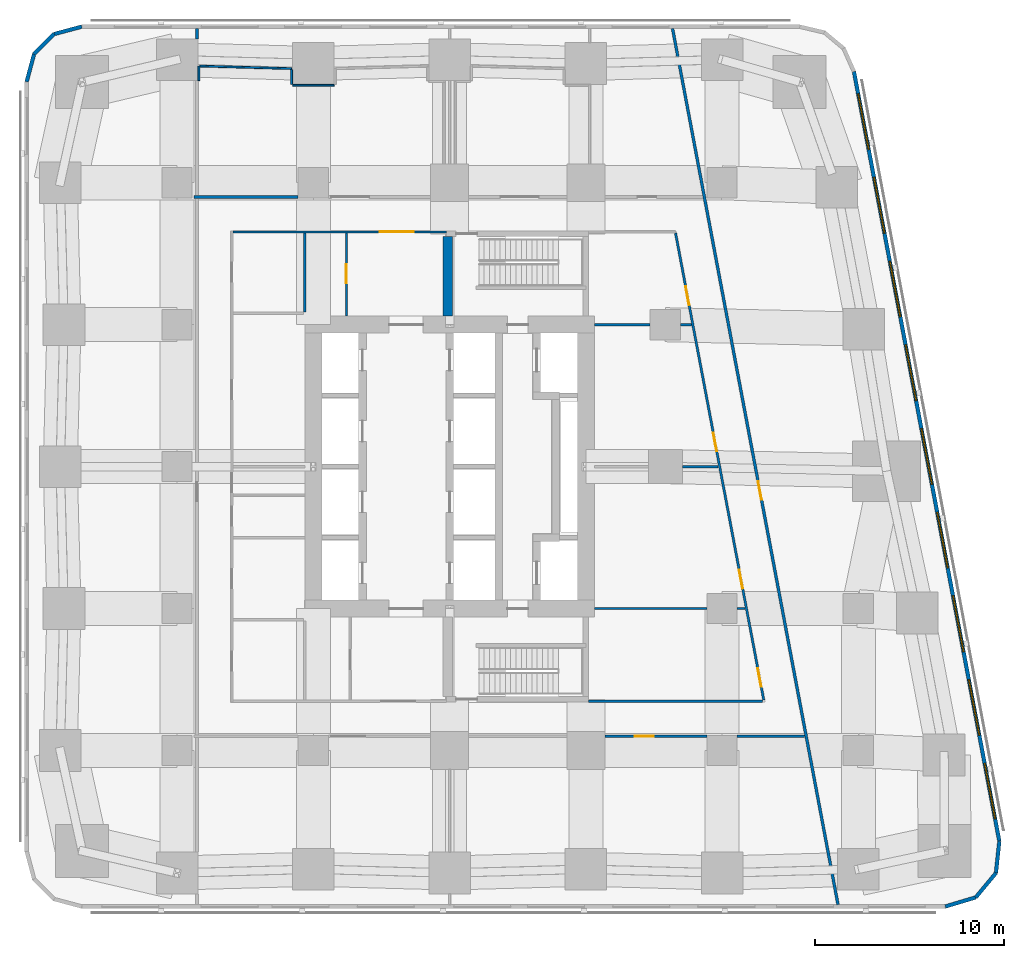
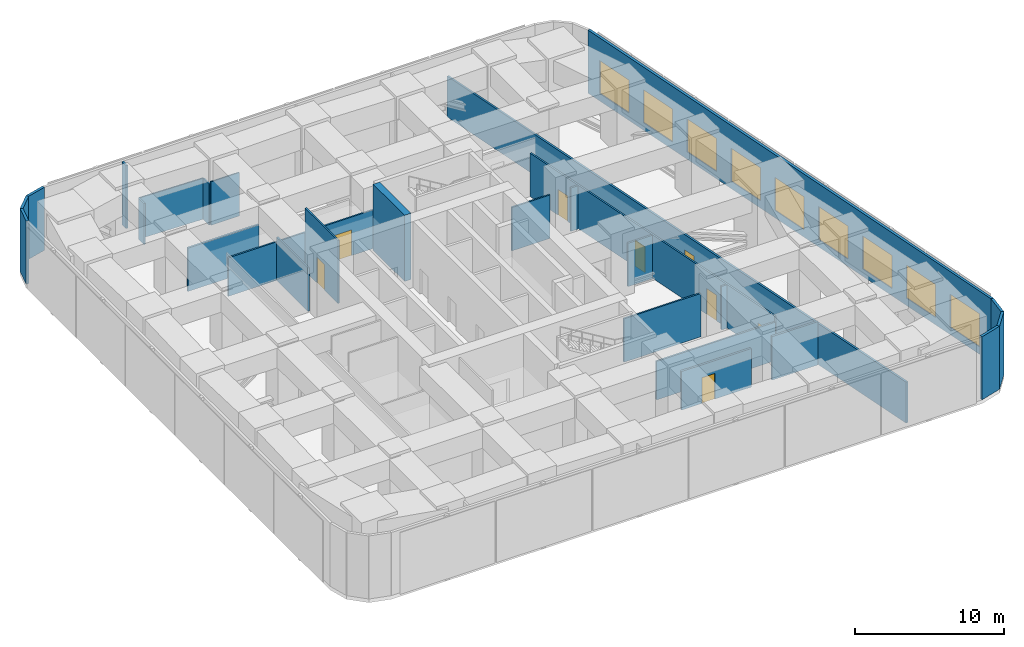
# One storey, part 6 of 10: 27 walls, 9 windows, 8 doors, 17 openings.
"""IFC4 building model written with IfcOpenShell, lengths in metres."""

from ifc_helpers import new_model, si_unit, direction, frame, frame_2d, origin, place, context, subcontext, project, spatial, rectangle, extrude, material, layer, layer_set, type_object, element, fill, save


model = new_model("IFC4")

# Units and contexts
model_context = context("Model", 3, precision=1e-05, world=origin(), true_north=direction((0.0, 1.0)))
body_context = subcontext(model_context, "Body", "Model", "MODEL_VIEW")
ifc_project = project(units=[si_unit("LENGTHUNIT", "METRE"), si_unit("AREAUNIT", "SQUARE_METRE"), si_unit("VOLUMEUNIT", "CUBIC_METRE"), si_unit("PLANEANGLEUNIT", "RADIAN"), si_unit("MASSUNIT", "GRAM", prefix="KILO")], contexts=[model_context])

# Site, building, storey
site_placement = place(None, origin())
site = spatial("IfcSite", under=ifc_project, at=site_placement, CompositionType="ELEMENT")
building_placement = place(site_placement, origin())
building = spatial("IfcBuilding", under=site, at=building_placement, Name="Sheger Commons Tower", CompositionType="ELEMENT")
storey_placement = place(building_placement, frame((0.0, 0.0, 130.39990234375)))
storey = spatial("IfcBuildingStorey", under=building, at=storey_placement, Name="L33", CompositionType="ELEMENT", Elevation=130.39990234375)

# Walls
ifc_material_1 = material(Name="Hollow concrete block masonry, skimmed both sides", Category="masonry")
ifc_layer_1 = layer(ifc_material_1, 0.14990234375)
ifc_layer_set_1 = layer_set([ifc_layer_1], Name="CORRIDOR WALL 150")
wall_type_1 = type_object("IfcWallType", Name="CORRIDOR WALL 150", PredefinedType="SOLIDWALL", material=ifc_layer_set_1)
wall_1_placement = place(storey_placement, frame((8.25, 45.10107421875, 0.0), z_axis=(0.0, 0.0, 1.0), x_axis=(0.0, 1.0, 0.0)))
element("IfcWall", 1, at=wall_1_placement, inside=storey, type_object=wall_type_1, Name="Corridor wall L33", PredefinedType="SOLIDWALL", context=body_context, shape_type="SweptSolid", body=[
    extrude(rectangle(XDim=0.548828125, YDim=0.14990234375, at=frame_2d((0.2744140625, 0.0))), origin(), (0.0, 0.0, 1.0), 5.150146484375),
])
wall_2_placement = place(storey_placement, frame((40.35595703125, 8.25, 0.0), z_axis=(0.0, 0.0, 1.0), x_axis=(-1.0, 0.0, 0.0)))
element("IfcWall", 2, at=wall_2_placement, inside=storey, type_object=wall_type_1, Name="Corridor wall L33", PredefinedType="SOLIDWALL", context=body_context, shape_type="SweptSolid", body=[
    extrude(rectangle(XDim=3.554931640625, YDim=0.14990234375, at=frame_2d((1.77734375, 0.0))), origin(), (0.0, 0.0, 1.0), 3.550048828125),
])

# Wall, opening, door
wall_3_placement = place(storey_placement, frame((35.198974609375, 8.25, 0.0), z_axis=(0.0, 0.0, 1.0), x_axis=(-1.0, 0.0, 0.0)))
wall_3 = element("IfcWall", 3, at=wall_3_placement, inside=storey, type_object=wall_type_1, Name="Corridor wall L33", PredefinedType="SOLIDWALL", context=body_context, shape_type="SweptSolid", body=[
    extrude(rectangle(XDim=5.39794921875, YDim=0.14990234375, at=frame_2d((2.698974609375, 0.0))), origin(), (0.0, 0.0, 1.0), 3.150146484375),
])
opening_1_placement = place(wall_3_placement, frame((2.81689453125, 0.0, 0.0)))
opening_1 = element("IfcOpeningElement", 4, at=opening_1_placement, cuts=wall_3, Name="Opening D4", PredefinedType="OPENING", context=body_context, shape_type="SweptSolid", body=[
    extrude(rectangle(XDim=1.0, YDim=2.10009765625, at=frame_2d((0.5, 1.050048828125))), frame((0.0, 0.0849609375, 0.0), z_axis=(0.0, -1.0, 0.0), x_axis=(1.0, 0.0, 0.0)), (0.0, 0.0, 1.0), 0.169921875),
])
ifc_material_2 = material(Name="Steel door set, fire rated", Category="steel")
door_type_1 = type_object("IfcDoorType", Name="SERVICE DOOR 1000x2100", OperationType="NOTDEFINED", PredefinedType="DOOR", material=ifc_material_2)
door_1_placement = place(opening_1_placement, origin())
door_1 = element("IfcDoor", 5, at=door_1_placement, inside=storey, type_object=door_type_1, Name="Refuge area door", OperationType="SINGLE_SWING_RIGHT", OverallHeight=2.10009765625, OverallWidth=1.0, PredefinedType="DOOR", context=body_context, shape_type="SweptSolid", body=[
    extrude(rectangle(XDim=1.0, YDim=2.10009765625, at=frame_2d((0.5, 1.050048828125))), frame((0.0, 0.02490234375, 0.0), z_axis=(0.0, -1.0, 0.0), x_axis=(1.0, 0.0, 0.0)), (0.0, 0.0, 1.0), 0.050048828125),
])
fill(opening_1, door_1)

# Wall
wall_4_placement = place(storey_placement, frame((8.10009765625, 36.75, 0.0), z_axis=(0.0, 0.0, 1.0), x_axis=(1.0, 0.0, 0.0)))
element("IfcWall", 6, at=wall_4_placement, inside=storey, type_object=wall_type_1, Name="Corridor wall L33", PredefinedType="SOLIDWALL", context=body_context, shape_type="SweptSolid", body=[
    extrude(rectangle(XDim=5.4990234375, YDim=0.14990234375, at=frame_2d((2.74951171875, 0.0))), origin(), (0.0, 0.0, 1.0), 3.550048828125),
])

# Wall, opening, door
wall_5_placement = place(storey_placement, frame((33.382080078125, 45.64990234375, 0.0), z_axis=(0.0, 0.0, 1.0), x_axis=(0.185593544777, -0.982626600565, 0.0)))
wall_5 = element("IfcWall", 7, at=wall_5_placement, inside=storey, type_object=wall_type_1, Name="Corridor wall L33", PredefinedType="SOLIDWALL", context=body_context, shape_type="SweptSolid", body=[
    extrude(rectangle(XDim=47.118408203125, YDim=0.14990234375, at=frame_2d((23.55908203125, 0.0))), origin(), (0.0, 0.0, 1.0), 3.35009765625),
])
opening_2_placement = place(wall_5_placement, frame((24.35009765625, 0.0, 0.0)))
opening_2 = element("IfcOpeningElement", 8, at=opening_2_placement, cuts=wall_5, Name="Opening D4", PredefinedType="OPENING", context=body_context, shape_type="SweptSolid", body=[
    extrude(rectangle(XDim=1.0, YDim=2.10009765625, at=frame_2d((0.5, 1.050048828125))), frame((0.0, 0.0849609375, 0.0), z_axis=(0.0, -1.0, 0.0), x_axis=(1.0, 0.0, 0.0)), (0.0, 0.0, 1.0), 0.169921875),
])
door_2_placement = place(opening_2_placement, origin())
door_2 = element("IfcDoor", 9, at=door_2_placement, inside=storey, type_object=door_type_1, Name="Refuge area door", OperationType="SINGLE_SWING_RIGHT", OverallHeight=2.10009765625, OverallWidth=1.0, PredefinedType="DOOR", context=body_context, shape_type="SweptSolid", body=[
    extrude(rectangle(XDim=1.0, YDim=2.10009765625, at=frame_2d((0.5, 1.050048828125))), frame((0.0, 0.02490234375, 0.0), z_axis=(0.0, -1.0, 0.0), x_axis=(1.0, 0.0, 0.0)), (0.0, 0.0, 1.0), 0.050048828125),
])
fill(opening_2, door_2)

# Walls
ifc_material_3 = material(Name="Rendered concrete block masonry, dark grey", Category="masonry")
ifc_layer_2 = layer(ifc_material_3, 0.199951171875)
ifc_layer_set_2 = layer_set([ifc_layer_2], Name="FACADE WALL 200")
wall_type_2 = type_object("IfcWallType", Name="FACADE WALL 200", PredefinedType="SOLIDWALL", material=ifc_layer_set_2)
wall_6_placement = place(storey_placement, frame((47.791015625, -0.75, 0.0), z_axis=(0.0, 0.0, 1.0), x_axis=(0.957455232626, 0.288581838509, 0.0)))
element("IfcWall", 10, at=wall_6_placement, inside=storey, type_object=wall_type_2, Name="Facade wall L33", PredefinedType="SOLIDWALL", context=body_context, shape_type="SweptSolid", body=[
    extrude(rectangle(XDim=1.687744140625, YDim=0.199951171875, at=frame_2d((0.84375, 0.0))), origin(), (0.0, 0.0, 1.0), 5.150146484375),
])
wall_7_placement = place(storey_placement, frame((49.406982421875, -0.262939453125, 0.0), z_axis=(0.0, 0.0, 1.0), x_axis=(0.638042593423, 0.770001070764, 0.0)))
element("IfcWall", 11, at=wall_7_placement, inside=storey, type_object=wall_type_2, Name="Facade wall L33", PredefinedType="SOLIDWALL", context=body_context, shape_type="SweptSolid", body=[
    extrude(rectangle(XDim=1.672607421875, YDim=0.199951171875, at=frame_2d((0.83642578125, 0.0))), origin(), (0.0, 0.0, 1.0), 5.150146484375),
])
wall_8_placement = place(storey_placement, frame((50.47412109375, 1.02490234375, 0.0), z_axis=(0.0, 0.0, 1.0), x_axis=(0.106047815515, 0.994361031429, 0.0)))
element("IfcWall", 12, at=wall_8_placement, inside=storey, type_object=wall_type_2, Name="Facade wall L33", PredefinedType="SOLIDWALL", context=body_context, shape_type="SweptSolid", body=[
    extrude(rectangle(XDim=1.6875, YDim=0.199951171875, at=frame_2d((0.84375, 0.0))), origin(), (0.0, 0.0, 1.0), 5.150146484375),
])

# Wall, openings, windows
wall_9_placement = place(storey_placement, frame((50.653076171875, 2.702880859375, 0.0), z_axis=(0.0, 0.0, 1.0), x_axis=(-0.185612026696, 0.982623109613, 0.0)))
wall_9 = element("IfcWall", 13, at=wall_9_placement, inside=storey, type_object=wall_type_2, Name="Facade wall L33", PredefinedType="SOLIDWALL", context=body_context, shape_type="SweptSolid", body=[
    extrude(rectangle(XDim=41.393310546875, YDim=0.199951171875, at=frame_2d((20.69677734375, 0.0))), origin(), (0.0, 0.0, 1.0), 5.150146484375),
])
opening_3_placement = place(wall_9_placement, frame((1.197021484375, 0.0, 0.60009765625)))
opening_3 = element("IfcOpeningElement", 14, at=opening_3_placement, cuts=wall_9, Name="Opening LV2", PredefinedType="OPENING", context=body_context, shape_type="SweptSolid", body=[
    extrude(rectangle(XDim=3.0, YDim=2.699951171875, at=frame_2d((1.5, 1.35009765625))), frame((0.0, 0.10986328125, 0.0), z_axis=(0.0, -1.0, 0.0), x_axis=(1.0, 0.0, 0.0)), (0.0, 0.0, 1.0), 0.219970703125),
])
opening_4_placement = place(wall_9_placement, frame((5.697021484375, 0.0, 0.60009765625)))
opening_4 = element("IfcOpeningElement", 15, at=opening_4_placement, cuts=wall_9, Name="Opening LV2", PredefinedType="OPENING", context=body_context, shape_type="SweptSolid", body=[
    extrude(rectangle(XDim=3.0, YDim=2.699951171875, at=frame_2d((1.5, 1.35009765625))), frame((0.0, 0.10986328125, 0.0), z_axis=(0.0, -1.0, 0.0), x_axis=(1.0, 0.0, 0.0)), (0.0, 0.0, 1.0), 0.219970703125),
])
opening_5_placement = place(wall_9_placement, frame((10.197021484375, 0.0, 0.60009765625)))
opening_5 = element("IfcOpeningElement", 16, at=opening_5_placement, cuts=wall_9, Name="Opening LV2", PredefinedType="OPENING", context=body_context, shape_type="SweptSolid", body=[
    extrude(rectangle(XDim=3.0, YDim=2.699951171875, at=frame_2d((1.5, 1.35009765625))), frame((0.0, 0.10986328125, 0.0), z_axis=(0.0, -1.0, 0.0), x_axis=(1.0, 0.0, 0.0)), (0.0, 0.0, 1.0), 0.219970703125),
])
opening_6_placement = place(wall_9_placement, frame((14.697021484375, 0.0, 0.60009765625)))
opening_6 = element("IfcOpeningElement", 17, at=opening_6_placement, cuts=wall_9, Name="Opening LV2", PredefinedType="OPENING", context=body_context, shape_type="SweptSolid", body=[
    extrude(rectangle(XDim=3.0, YDim=2.699951171875, at=frame_2d((1.5, 1.35009765625))), frame((0.0, 0.10986328125, 0.0), z_axis=(0.0, -1.0, 0.0), x_axis=(1.0, 0.0, 0.0)), (0.0, 0.0, 1.0), 0.219970703125),
])
opening_7_placement = place(wall_9_placement, frame((19.197021484375, 0.0, 0.60009765625)))
opening_7 = element("IfcOpeningElement", 18, at=opening_7_placement, cuts=wall_9, Name="Opening LV2", PredefinedType="OPENING", context=body_context, shape_type="SweptSolid", body=[
    extrude(rectangle(XDim=3.0, YDim=2.699951171875, at=frame_2d((1.5, 1.35009765625))), frame((0.0, 0.10986328125, 0.0), z_axis=(0.0, -1.0, 0.0), x_axis=(1.0, 0.0, 0.0)), (0.0, 0.0, 1.0), 0.219970703125),
])
opening_8_placement = place(wall_9_placement, frame((23.697021484375, 0.0, 0.60009765625)))
opening_8 = element("IfcOpeningElement", 19, at=opening_8_placement, cuts=wall_9, Name="Opening LV2", PredefinedType="OPENING", context=body_context, shape_type="SweptSolid", body=[
    extrude(rectangle(XDim=3.0, YDim=2.699951171875, at=frame_2d((1.5, 1.35009765625))), frame((0.0, 0.10986328125, 0.0), z_axis=(0.0, -1.0, 0.0), x_axis=(1.0, 0.0, 0.0)), (0.0, 0.0, 1.0), 0.219970703125),
])
opening_9_placement = place(wall_9_placement, frame((28.197021484375, 0.0, 0.60009765625)))
opening_9 = element("IfcOpeningElement", 20, at=opening_9_placement, cuts=wall_9, Name="Opening LV2", PredefinedType="OPENING", context=body_context, shape_type="SweptSolid", body=[
    extrude(rectangle(XDim=3.0, YDim=2.699951171875, at=frame_2d((1.5, 1.35009765625))), frame((0.0, 0.10986328125, 0.0), z_axis=(0.0, -1.0, 0.0), x_axis=(1.0, 0.0, 0.0)), (0.0, 0.0, 1.0), 0.219970703125),
])
opening_10_placement = place(wall_9_placement, frame((32.697021484375, 0.0, 0.60009765625)))
opening_10 = element("IfcOpeningElement", 21, at=opening_10_placement, cuts=wall_9, Name="Opening LV2", PredefinedType="OPENING", context=body_context, shape_type="SweptSolid", body=[
    extrude(rectangle(XDim=3.0, YDim=2.699951171875, at=frame_2d((1.5, 1.35009765625))), frame((0.0, 0.10986328125, 0.0), z_axis=(0.0, -1.0, 0.0), x_axis=(1.0, 0.0, 0.0)), (0.0, 0.0, 1.0), 0.219970703125),
])
opening_11_placement = place(wall_9_placement, frame((37.197021484375, 0.0, 0.60009765625)))
opening_11 = element("IfcOpeningElement", 22, at=opening_11_placement, cuts=wall_9, Name="Opening LV2", PredefinedType="OPENING", context=body_context, shape_type="SweptSolid", body=[
    extrude(rectangle(XDim=3.0, YDim=2.699951171875, at=frame_2d((1.5, 1.35009765625))), frame((0.0, 0.10986328125, 0.0), z_axis=(0.0, -1.0, 0.0), x_axis=(1.0, 0.0, 0.0)), (0.0, 0.0, 1.0), 0.219970703125),
])
ifc_material_4 = material(Name="Black aluminium louvre", Category="aluminium")
window_type = type_object("IfcWindowType", Name="REFUGE FLOOR LOUVRE LV2 3000x2700", PartitioningType="SINGLE_PANEL", PredefinedType="USERDEFINED", material=ifc_material_4)
window_1_placement = place(opening_3_placement, origin())
window_1 = element("IfcWindow", 23, at=window_1_placement, inside=storey, type_object=window_type, Name="Refuge Floor Louvre Lv2 3000X2700", ObjectType="LOUVRE", OverallHeight=2.699951171875, OverallWidth=3.0, PartitioningType="SINGLE_PANEL", PredefinedType="USERDEFINED", context=body_context, shape_type="SweptSolid", body=[
    extrude(rectangle(XDim=3.0, YDim=2.699951171875, at=frame_2d((1.5, 1.35009765625))), frame((0.0, 0.030029296875, 0.0), z_axis=(0.0, -1.0, 0.0), x_axis=(1.0, 0.0, 0.0)), (0.0, 0.0, 1.0), 0.06005859375),
])
fill(opening_3, window_1)
window_2_placement = place(opening_4_placement, origin())
window_2 = element("IfcWindow", 24, at=window_2_placement, inside=storey, type_object=window_type, Name="Refuge Floor Louvre Lv2 3000X2700", ObjectType="LOUVRE", OverallHeight=2.699951171875, OverallWidth=3.0, PartitioningType="SINGLE_PANEL", PredefinedType="USERDEFINED", context=body_context, shape_type="SweptSolid", body=[
    extrude(rectangle(XDim=3.0, YDim=2.699951171875, at=frame_2d((1.5, 1.35009765625))), frame((0.0, 0.030029296875, 0.0), z_axis=(0.0, -1.0, 0.0), x_axis=(1.0, 0.0, 0.0)), (0.0, 0.0, 1.0), 0.06005859375),
])
fill(opening_4, window_2)
window_3_placement = place(opening_5_placement, origin())
window_3 = element("IfcWindow", 25, at=window_3_placement, inside=storey, type_object=window_type, Name="Refuge Floor Louvre Lv2 3000X2700", ObjectType="LOUVRE", OverallHeight=2.699951171875, OverallWidth=3.0, PartitioningType="SINGLE_PANEL", PredefinedType="USERDEFINED", context=body_context, shape_type="SweptSolid", body=[
    extrude(rectangle(XDim=3.0, YDim=2.699951171875, at=frame_2d((1.5, 1.35009765625))), frame((0.0, 0.030029296875, 0.0), z_axis=(0.0, -1.0, 0.0), x_axis=(1.0, 0.0, 0.0)), (0.0, 0.0, 1.0), 0.06005859375),
])
fill(opening_5, window_3)
window_4_placement = place(opening_6_placement, origin())
window_4 = element("IfcWindow", 26, at=window_4_placement, inside=storey, type_object=window_type, Name="Refuge Floor Louvre Lv2 3000X2700", ObjectType="LOUVRE", OverallHeight=2.699951171875, OverallWidth=3.0, PartitioningType="SINGLE_PANEL", PredefinedType="USERDEFINED", context=body_context, shape_type="SweptSolid", body=[
    extrude(rectangle(XDim=3.0, YDim=2.699951171875, at=frame_2d((1.5, 1.35009765625))), frame((0.0, 0.030029296875, 0.0), z_axis=(0.0, -1.0, 0.0), x_axis=(1.0, 0.0, 0.0)), (0.0, 0.0, 1.0), 0.06005859375),
])
fill(opening_6, window_4)
window_5_placement = place(opening_7_placement, origin())
window_5 = element("IfcWindow", 27, at=window_5_placement, inside=storey, type_object=window_type, Name="Refuge Floor Louvre Lv2 3000X2700", ObjectType="LOUVRE", OverallHeight=2.699951171875, OverallWidth=3.0, PartitioningType="SINGLE_PANEL", PredefinedType="USERDEFINED", context=body_context, shape_type="SweptSolid", body=[
    extrude(rectangle(XDim=3.0, YDim=2.699951171875, at=frame_2d((1.5, 1.35009765625))), frame((0.0, 0.030029296875, 0.0), z_axis=(0.0, -1.0, 0.0), x_axis=(1.0, 0.0, 0.0)), (0.0, 0.0, 1.0), 0.06005859375),
])
fill(opening_7, window_5)
window_6_placement = place(opening_8_placement, origin())
window_6 = element("IfcWindow", 28, at=window_6_placement, inside=storey, type_object=window_type, Name="Refuge Floor Louvre Lv2 3000X2700", ObjectType="LOUVRE", OverallHeight=2.699951171875, OverallWidth=3.0, PartitioningType="SINGLE_PANEL", PredefinedType="USERDEFINED", context=body_context, shape_type="SweptSolid", body=[
    extrude(rectangle(XDim=3.0, YDim=2.699951171875, at=frame_2d((1.5, 1.35009765625))), frame((0.0, 0.030029296875, 0.0), z_axis=(0.0, -1.0, 0.0), x_axis=(1.0, 0.0, 0.0)), (0.0, 0.0, 1.0), 0.06005859375),
])
fill(opening_8, window_6)
window_7_placement = place(opening_9_placement, origin())
window_7 = element("IfcWindow", 29, at=window_7_placement, inside=storey, type_object=window_type, Name="Refuge Floor Louvre Lv2 3000X2700", ObjectType="LOUVRE", OverallHeight=2.699951171875, OverallWidth=3.0, PartitioningType="SINGLE_PANEL", PredefinedType="USERDEFINED", context=body_context, shape_type="SweptSolid", body=[
    extrude(rectangle(XDim=3.0, YDim=2.699951171875, at=frame_2d((1.5, 1.35009765625))), frame((0.0, 0.030029296875, 0.0), z_axis=(0.0, -1.0, 0.0), x_axis=(1.0, 0.0, 0.0)), (0.0, 0.0, 1.0), 0.06005859375),
])
fill(opening_9, window_7)
window_8_placement = place(opening_10_placement, origin())
window_8 = element("IfcWindow", 30, at=window_8_placement, inside=storey, type_object=window_type, Name="Refuge Floor Louvre Lv2 3000X2700", ObjectType="LOUVRE", OverallHeight=2.699951171875, OverallWidth=3.0, PartitioningType="SINGLE_PANEL", PredefinedType="USERDEFINED", context=body_context, shape_type="SweptSolid", body=[
    extrude(rectangle(XDim=3.0, YDim=2.699951171875, at=frame_2d((1.5, 1.35009765625))), frame((0.0, 0.030029296875, 0.0), z_axis=(0.0, -1.0, 0.0), x_axis=(1.0, 0.0, 0.0)), (0.0, 0.0, 1.0), 0.06005859375),
])
fill(opening_10, window_8)
window_9_placement = place(opening_11_placement, origin())
window_9 = element("IfcWindow", 31, at=window_9_placement, inside=storey, type_object=window_type, Name="Refuge Floor Louvre Lv2 3000X2700", ObjectType="LOUVRE", OverallHeight=2.699951171875, OverallWidth=3.0, PartitioningType="SINGLE_PANEL", PredefinedType="USERDEFINED", context=body_context, shape_type="SweptSolid", body=[
    extrude(rectangle(XDim=3.0, YDim=2.699951171875, at=frame_2d((1.5, 1.35009765625))), frame((0.0, 0.030029296875, 0.0), z_axis=(0.0, -1.0, 0.0), x_axis=(1.0, 0.0, 0.0)), (0.0, 0.0, 1.0), 0.06005859375),
])
fill(opening_11, window_9)

# Walls
wall_10_placement = place(storey_placement, frame((2.1630859375, 45.75, 0.0), z_axis=(0.0, 0.0, 1.0), x_axis=(-0.965832000415, -0.259168954497, 0.0)))
element("IfcWall", 32, at=wall_10_placement, inside=storey, type_object=wall_type_2, Name="Facade wall L33", PredefinedType="SOLIDWALL", context=body_context, shape_type="SweptSolid", body=[
    extrude(rectangle(XDim=1.512939453125, YDim=0.199951171875, at=frame_2d((0.75634765625, 0.0))), origin(), (0.0, 0.0, 1.0), 5.150146484375),
])
wall_11_placement = place(storey_placement, frame((0.701904296875, 45.35791015625, 0.0), z_axis=(0.0, 0.0, 1.0), x_axis=(-0.707106781187, -0.707106781187, 0.0)))
element("IfcWall", 33, at=wall_11_placement, inside=storey, type_object=wall_type_2, Name="Facade wall L33", PredefinedType="SOLIDWALL", context=body_context, shape_type="SweptSolid", body=[
    extrude(rectangle(XDim=1.498779296875, YDim=0.199951171875, at=frame_2d((0.74951171875, 0.0))), origin(), (0.0, 0.0, 1.0), 5.150146484375),
])
wall_12_placement = place(storey_placement, frame((-0.35791015625, 44.298095703125, 0.0), z_axis=(0.0, 0.0, 1.0), x_axis=(-0.259168954497, -0.965832000415, 0.0)))
element("IfcWall", 34, at=wall_12_placement, inside=storey, type_object=wall_type_2, Name="Facade wall L33", PredefinedType="SOLIDWALL", context=body_context, shape_type="SweptSolid", body=[
    extrude(rectangle(XDim=1.512939453125, YDim=0.199951171875, at=frame_2d((0.75634765625, 0.0))), origin(), (0.0, 0.0, 1.0), 5.150146484375),
])
ifc_material_5 = material(Name="Gypsum board on steel studs", Category="steel")
ifc_layer_3 = layer(ifc_material_5, 0.10009765625)
ifc_layer_set_3 = layer_set([ifc_layer_3], Name="PARTITION 100")
wall_type_3 = type_object("IfcWallType", Name="PARTITION 100", PredefinedType="PARTITIONING", material=ifc_layer_set_3)
wall_13_placement = place(storey_placement, frame((8.35009765625, 42.89990234375, 0.0), z_axis=(0.0, 0.0, 1.0), x_axis=(0.0, 1.0, 0.0)))
element("IfcWall", 35, at=wall_13_placement, inside=storey, type_object=wall_type_3, Name="Partition L33", PredefinedType="PARTITIONING", context=body_context, shape_type="SweptSolid", body=[
    extrude(rectangle(XDim=0.76806640625, YDim=0.10009765625, at=frame_2d((0.384033203125, 0.0))), origin(), (0.0, 0.0, 1.0), 3.35009765625),
])
wall_14_placement = place(storey_placement, frame((8.40087890625, 43.6669921875, 0.0), z_axis=(0.0, 0.0, 1.0), x_axis=(0.999612633635, -0.027831325466, 0.0)))
element("IfcWall", 36, at=wall_14_placement, inside=storey, type_object=wall_type_3, Name="Partition L33", PredefinedType="PARTITIONING", context=body_context, shape_type="SweptSolid", body=[
    extrude(rectangle(XDim=4.85107421875, YDim=0.10009765625, at=frame_2d((2.425537109375, 0.0))), origin(), (0.0, 0.0, 1.0), 3.35009765625),
])
wall_15_placement = place(storey_placement, frame((13.25, 43.48193359375, 0.0), z_axis=(0.0, 0.0, 1.0), x_axis=(0.0, -1.0, 0.0)))
element("IfcWall", 37, at=wall_15_placement, inside=storey, type_object=wall_type_3, Name="Partition L33", PredefinedType="PARTITIONING", context=body_context, shape_type="SweptSolid", body=[
    extrude(rectangle(XDim=0.781982421875, YDim=0.10009765625, at=frame_2d((0.39111328125, 0.0))), origin(), (0.0, 0.0, 1.0), 3.35009765625),
])
wall_16_placement = place(storey_placement, frame((13.300048828125, 42.64990234375, 0.0), z_axis=(0.0, 0.0, 1.0), x_axis=(1.0, 0.0, 0.0)))
element("IfcWall", 38, at=wall_16_placement, inside=storey, type_object=wall_type_3, Name="Partition L33", PredefinedType="PARTITIONING", context=body_context, shape_type="SweptSolid", body=[
    extrude(rectangle(XDim=2.199951171875, YDim=0.10009765625, at=frame_2d((1.10009765625, 0.0))), origin(), (0.0, 0.0, 1.0), 3.550048828125),
])
ifc_material_6 = material(Name="Gypsum board on steel studs, two layers each side, fire rated", Category="steel")
ifc_layer_4 = layer(ifc_material_6, 0.125)
ifc_layer_set_4 = layer_set([ifc_layer_4], Name="SERVICE WALL 125")
wall_type_4 = type_object("IfcWallType", Name="SERVICE WALL 125", PredefinedType="PARTITIONING", material=ifc_layer_set_4)
wall_17_placement = place(storey_placement, frame((13.949951171875, 30.6630859375, 0.0), z_axis=(0.0, 0.0, 1.0), x_axis=(0.0, 1.0, 0.0)))
element("IfcWall", 39, at=wall_17_placement, inside=storey, type_object=wall_type_4, Name="Service room wall L33", PredefinedType="PARTITIONING", context=body_context, shape_type="SweptSolid", body=[
    extrude(rectangle(XDim=4.173828125, YDim=0.125, at=frame_2d((2.0869140625, 0.0))), origin(), (0.0, 0.0, 1.0), 3.550048828125),
])

# Wall, opening, door
wall_18_placement = place(storey_placement, frame((10.1630859375, 34.89990234375, 0.0), z_axis=(0.0, 0.0, 1.0), x_axis=(1.0, 0.0, 0.0)))
wall_18 = element("IfcWall", 40, at=wall_18_placement, inside=storey, type_object=wall_type_4, Name="Service room wall L33", PredefinedType="PARTITIONING", context=body_context, shape_type="SweptSolid", body=[
    extrude(rectangle(XDim=11.286865234375, YDim=0.125, at=frame_2d((5.6435546875, 0.0))), origin(), (0.0, 0.0, 1.0), 3.150146484375),
])
opening_12_placement = place(wall_18_placement, frame((7.737060546875, 0.0, 0.0)))
opening_12 = element("IfcOpeningElement", 41, at=opening_12_placement, cuts=wall_18, Name="Opening D6", PredefinedType="OPENING", context=body_context, shape_type="SweptSolid", body=[
    extrude(rectangle(XDim=1.800048828125, YDim=2.10009765625, at=frame_2d((0.89990234375, 1.050048828125))), frame((0.0, 0.072509765625, 0.0), z_axis=(0.0, -1.0, 0.0), x_axis=(1.0, 0.0, 0.0)), (0.0, 0.0, 1.0), 0.14501953125),
])
ifc_material_7 = material(Name="Steel door set, fire rated", Category="steel")
door_type_2 = type_object("IfcDoorType", Name="LOBBY DOUBLE DOOR 1800x2100", OperationType="DOUBLE_DOOR_SINGLE_SWING", PredefinedType="DOOR", material=ifc_material_7)
door_3_placement = place(opening_12_placement, origin())
door_3 = element("IfcDoor", 42, at=door_3_placement, inside=storey, type_object=door_type_2, Name="Lift lobby north door", OperationType="DOUBLE_DOOR_SINGLE_SWING", OverallHeight=2.10009765625, OverallWidth=1.800048828125, PredefinedType="DOOR", context=body_context, shape_type="SweptSolid", body=[
    extrude(rectangle(XDim=1.800048828125, YDim=2.10009765625, at=frame_2d((0.89990234375, 1.050048828125))), frame((0.0, 0.02490234375, 0.0), z_axis=(0.0, -1.0, 0.0), x_axis=(1.0, 0.0, 0.0)), (0.0, 0.0, 1.0), 0.050048828125),
])
fill(opening_12, door_3)

wall_19_placement = place(storey_placement, frame((16.14990234375, 30.449951171875, 0.0), z_axis=(0.0, 0.0, 1.0), x_axis=(0.0, 1.0, 0.0)))
wall_19 = element("IfcWall", 43, at=wall_19_placement, inside=storey, type_object=wall_type_4, Name="Service room wall L33", PredefinedType="PARTITIONING", context=body_context, shape_type="SweptSolid", body=[
    extrude(rectangle(XDim=4.386962890625, YDim=0.125, at=frame_2d((2.193359375, 0.0))), origin(), (0.0, 0.0, 1.0), 5.150146484375),
])
opening_13_placement = place(wall_19_placement, frame((1.75, 0.0, 0.0)))
opening_13 = element("IfcOpeningElement", 44, at=opening_13_placement, cuts=wall_19, Name="Opening D4", PredefinedType="OPENING", context=body_context, shape_type="SweptSolid", body=[
    extrude(rectangle(XDim=1.0, YDim=2.10009765625, at=frame_2d((0.5, 1.050048828125))), frame((0.0, 0.072509765625, 0.0), z_axis=(0.0, -1.0, 0.0), x_axis=(1.0, 0.0, 0.0)), (0.0, 0.0, 1.0), 0.14501953125),
])
door_4_placement = place(opening_13_placement, origin())
door_4 = element("IfcDoor", 45, at=door_4_placement, inside=storey, type_object=door_type_1, Name="Telecom switch room door", OperationType="SINGLE_SWING_RIGHT", OverallHeight=2.10009765625, OverallWidth=1.0, PredefinedType="DOOR", context=body_context, shape_type="SweptSolid", body=[
    extrude(rectangle(XDim=1.0, YDim=2.10009765625, at=frame_2d((0.5, 1.050048828125))), frame((0.0, 0.02490234375, 0.0), z_axis=(0.0, -1.0, 0.0), x_axis=(1.0, 0.0, 0.0)), (0.0, 0.0, 1.0), 0.050048828125),
])
fill(opening_13, door_4)

# Wall
wall_20_placement = place(storey_placement, frame((28.949951171875, 10.10009765625, 0.0), z_axis=(0.0, 0.0, 1.0), x_axis=(1.0, 0.0, 0.0)))
element("IfcWall", 46, at=wall_20_placement, inside=storey, type_object=wall_type_4, Name="Service room wall L33", PredefinedType="PARTITIONING", context=body_context, shape_type="SweptSolid", body=[
    extrude(rectangle(XDim=9.18798828125, YDim=0.125, at=frame_2d((4.593994140625, 0.0))), origin(), (0.0, 0.0, 1.0), 3.150146484375),
])

# Wall, openings, doors
wall_21_placement = place(storey_placement, frame((38.201904296875, 10.1630859375, 0.0), z_axis=(0.0, 0.0, 1.0), x_axis=(-0.185610321132, 0.982623431783, 0.0)))
wall_21 = element("IfcWall", 47, at=wall_21_placement, inside=storey, type_object=wall_type_4, Name="Service room wall L33", PredefinedType="PARTITIONING", context=body_context, shape_type="SweptSolid", body=[
    extrude(rectangle(XDim=25.111083984375, YDim=0.125, at=frame_2d((12.5556640625, 0.0))), origin(), (0.0, 0.0, 1.0), 3.550048828125),
])
opening_14_placement = place(wall_21_placement, frame((0.7080078125, 0.0, 0.0)))
opening_14 = element("IfcOpeningElement", 48, at=opening_14_placement, cuts=wall_21, Name="Opening D4", PredefinedType="OPENING", context=body_context, shape_type="SweptSolid", body=[
    extrude(rectangle(XDim=1.0, YDim=2.10009765625, at=frame_2d((0.5, 1.050048828125))), frame((0.0, 0.072509765625, 0.0), z_axis=(0.0, -1.0, 0.0), x_axis=(1.0, 0.0, 0.0)), (0.0, 0.0, 1.0), 0.14501953125),
])
opening_15_placement = place(wall_21_placement, frame((6.0, 0.0, 0.0)))
opening_15 = element("IfcOpeningElement", 49, at=opening_15_placement, cuts=wall_21, Name="Opening D4", PredefinedType="OPENING", context=body_context, shape_type="SweptSolid", body=[
    extrude(rectangle(XDim=1.0, YDim=2.10009765625, at=frame_2d((0.5, 1.050048828125))), frame((0.0, 0.072509765625, 0.0), z_axis=(0.0, -1.0, 0.0), x_axis=(1.0, 0.0, 0.0)), (0.0, 0.0, 1.0), 0.14501953125),
])
opening_16_placement = place(wall_21_placement, frame((13.3779296875, 0.0, 0.0)))
opening_16 = element("IfcOpeningElement", 50, at=opening_16_placement, cuts=wall_21, Name="Opening D4", PredefinedType="OPENING", context=body_context, shape_type="SweptSolid", body=[
    extrude(rectangle(XDim=1.0, YDim=2.10009765625, at=frame_2d((0.5, 1.050048828125))), frame((0.0, 0.072509765625, 0.0), z_axis=(0.0, -1.0, 0.0), x_axis=(1.0, 0.0, 0.0)), (0.0, 0.0, 1.0), 0.14501953125),
])
opening_17_placement = place(wall_21_placement, frame((21.25, 0.0, 0.0)))
opening_17 = element("IfcOpeningElement", 51, at=opening_17_placement, cuts=wall_21, Name="Opening D4", PredefinedType="OPENING", context=body_context, shape_type="SweptSolid", body=[
    extrude(rectangle(XDim=1.0, YDim=2.10009765625, at=frame_2d((0.5, 1.050048828125))), frame((0.0, 0.072509765625, 0.0), z_axis=(0.0, -1.0, 0.0), x_axis=(1.0, 0.0, 0.0)), (0.0, 0.0, 1.0), 0.14501953125),
])
door_5_placement = place(opening_14_placement, origin())
door_5 = element("IfcDoor", 52, at=door_5_placement, inside=storey, type_object=door_type_1, Name="Community kitchen door", OperationType="SINGLE_SWING_LEFT", OverallHeight=2.10009765625, OverallWidth=1.0, PredefinedType="DOOR", context=body_context, shape_type="SweptSolid", body=[
    extrude(rectangle(XDim=1.0, YDim=2.10009765625, at=frame_2d((0.5, 1.050048828125))), frame((0.0, 0.02490234375, 0.0), z_axis=(0.0, -1.0, 0.0), x_axis=(1.0, 0.0, 0.0)), (0.0, 0.0, 1.0), 0.050048828125),
])
fill(opening_14, door_5)
door_6_placement = place(opening_15_placement, origin())
door_6 = element("IfcDoor", 53, at=door_6_placement, inside=storey, type_object=door_type_1, Name="Refuge area store door", OperationType="SINGLE_SWING_LEFT", OverallHeight=2.10009765625, OverallWidth=1.0, PredefinedType="DOOR", context=body_context, shape_type="SweptSolid", body=[
    extrude(rectangle(XDim=1.0, YDim=2.10009765625, at=frame_2d((0.5, 1.050048828125))), frame((0.0, 0.02490234375, 0.0), z_axis=(0.0, -1.0, 0.0), x_axis=(1.0, 0.0, 0.0)), (0.0, 0.0, 1.0), 0.050048828125),
])
fill(opening_15, door_6)
door_7_placement = place(opening_16_placement, origin())
door_7 = element("IfcDoor", 54, at=door_7_placement, inside=storey, type_object=door_type_1, Name="Community store door", OperationType="SINGLE_SWING_LEFT", OverallHeight=2.10009765625, OverallWidth=1.0, PredefinedType="DOOR", context=body_context, shape_type="SweptSolid", body=[
    extrude(rectangle(XDim=1.0, YDim=2.10009765625, at=frame_2d((0.5, 1.050048828125))), frame((0.0, 0.02490234375, 0.0), z_axis=(0.0, -1.0, 0.0), x_axis=(1.0, 0.0, 0.0)), (0.0, 0.0, 1.0), 0.050048828125),
])
fill(opening_16, door_7)
door_8_placement = place(opening_17_placement, origin())
door_8 = element("IfcDoor", 55, at=door_8_placement, inside=storey, type_object=door_type_1, Name="First aid room door", OperationType="SINGLE_SWING_LEFT", OverallHeight=2.10009765625, OverallWidth=1.0, PredefinedType="DOOR", context=body_context, shape_type="SweptSolid", body=[
    extrude(rectangle(XDim=1.0, YDim=2.10009765625, at=frame_2d((0.5, 1.050048828125))), frame((0.0, 0.02490234375, 0.0), z_axis=(0.0, -1.0, 0.0), x_axis=(1.0, 0.0, 0.0)), (0.0, 0.0, 1.0), 0.050048828125),
])
fill(opening_17, door_8)

# Walls
wall_22_placement = place(storey_placement, frame((29.25, 15.0, 0.0), z_axis=(0.0, 0.0, 1.0), x_axis=(1.0, 0.0, 0.0)))
element("IfcWall", 56, at=wall_22_placement, inside=storey, type_object=wall_type_4, Name="Service room wall L33", PredefinedType="PARTITIONING", context=body_context, shape_type="SweptSolid", body=[
    extrude(rectangle(XDim=5.948974609375, YDim=0.125, at=frame_2d((2.974609375, 0.0))), origin(), (0.0, 0.0, 1.0), 3.550048828125),
])
wall_23_placement = place(storey_placement, frame((36.801025390625, 15.0, 0.0), z_axis=(0.0, 0.0, 1.0), x_axis=(1.0, 0.0, 0.0)))
element("IfcWall", 57, at=wall_23_placement, inside=storey, type_object=wall_type_4, Name="Service room wall L33", PredefinedType="PARTITIONING", context=body_context, shape_type="SweptSolid", body=[
    extrude(rectangle(XDim=0.411865234375, YDim=0.125, at=frame_2d((0.2060546875, 0.0))), origin(), (0.0, 0.0, 1.0), 3.550048828125),
])
wall_24_placement = place(storey_placement, frame((33.90087890625, 22.5, 0.0), z_axis=(0.0, 0.0, 1.0), x_axis=(1.0, 0.0, 0.0)))
element("IfcWall", 58, at=wall_24_placement, inside=storey, type_object=wall_type_4, Name="Service room wall L33", PredefinedType="PARTITIONING", context=body_context, shape_type="SweptSolid", body=[
    extrude(rectangle(XDim=1.89501953125, YDim=0.125, at=frame_2d((0.947509765625, 0.0))), origin(), (0.0, 0.0, 1.0), 3.550048828125),
])
wall_25_placement = place(storey_placement, frame((29.25, 30.0, 0.0), z_axis=(0.0, 0.0, 1.0), x_axis=(1.0, 0.0, 0.0)))
element("IfcWall", 59, at=wall_25_placement, inside=storey, type_object=wall_type_4, Name="Service room wall L33", PredefinedType="PARTITIONING", context=body_context, shape_type="SweptSolid", body=[
    extrude(rectangle(XDim=2.948974609375, YDim=0.125, at=frame_2d((1.474609375, 0.0))), origin(), (0.0, 0.0, 1.0), 3.550048828125),
])
wall_26_placement = place(storey_placement, frame((33.801025390625, 30.0, 0.0), z_axis=(0.0, 0.0, 1.0), x_axis=(1.0, 0.0, 0.0)))
element("IfcWall", 60, at=wall_26_placement, inside=storey, type_object=wall_type_4, Name="Service room wall L33", PredefinedType="PARTITIONING", context=body_context, shape_type="SweptSolid", body=[
    extrude(rectangle(XDim=0.577880859375, YDim=0.125, at=frame_2d((0.2890625, 0.0))), origin(), (0.0, 0.0, 1.0), 3.550048828125),
])
ifc_material_8 = material(Name="Concrete C50/60", Category="concrete")
ifc_layer_5 = layer(ifc_material_8, 0.5)
ifc_layer_set_5 = layer_set([ifc_layer_5], Name="STAIR CORE WALL 500")
wall_type_5 = type_object("IfcWallType", Name="STAIR CORE WALL 500", PredefinedType="SHEAR", material=ifc_layer_set_5)
wall_27_placement = place(storey_placement, frame((21.5, 30.449951171875, 0.0), z_axis=(0.0, 0.0, 1.0), x_axis=(0.0, 1.0, 0.0)))
element("IfcWall", 61, at=wall_27_placement, inside=storey, type_object=wall_type_5, Name="STW-L33-S2W", PredefinedType="SHEAR", context=body_context, shape_type="SweptSolid", body=[
    extrude(rectangle(XDim=4.199951171875, YDim=0.5, at=frame_2d((2.10009765625, 0.0))), origin(), (0.0, 0.0, 1.0), 5.400146484375),
])

save(model, "model.ifc")
